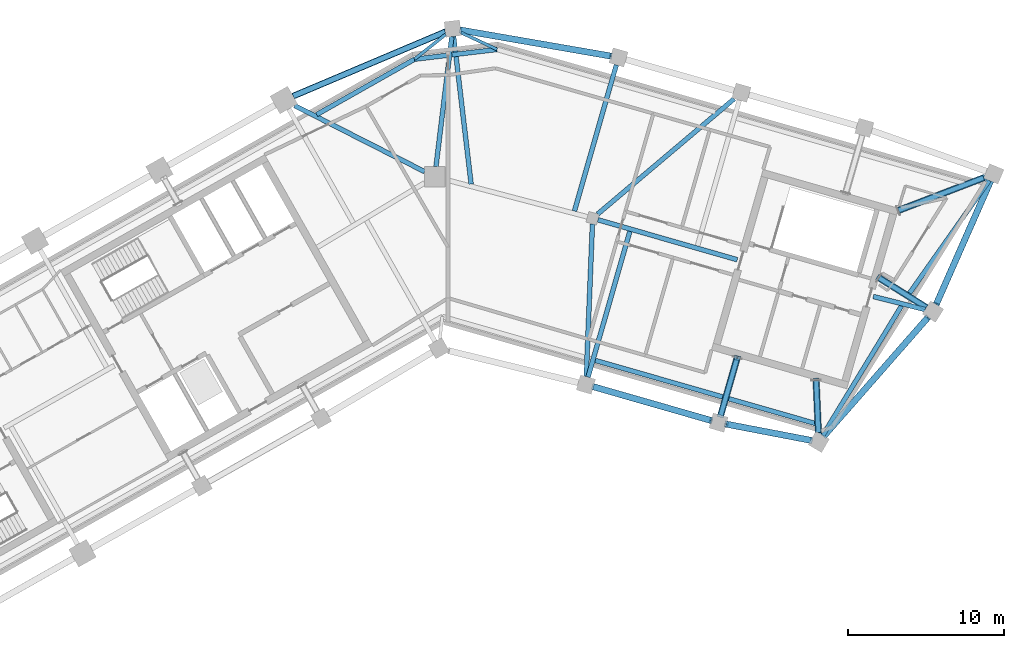
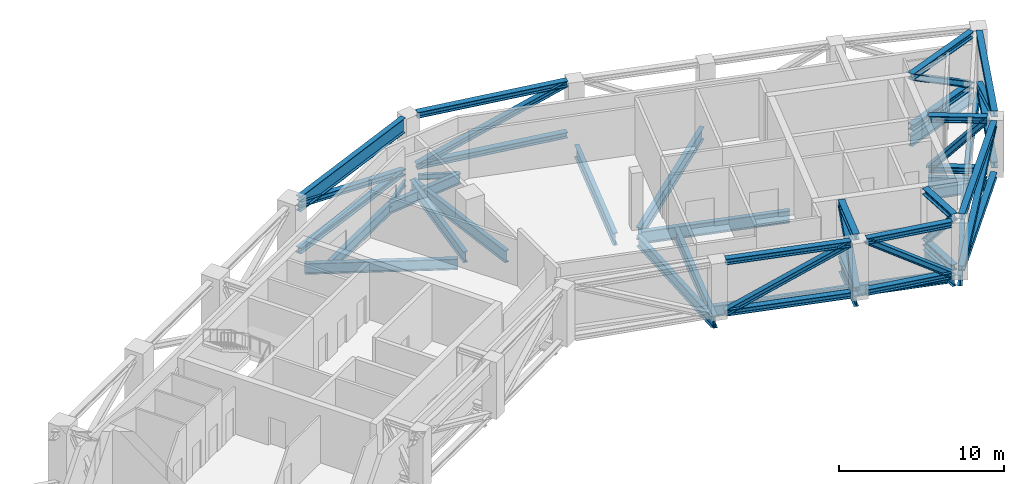
# One storey, part 3 of 13: 29 members, 23 beams.
"""IFC4 building model written with IfcOpenShell, lengths in metres."""

from ifc_helpers import new_model, si_unit, direction, frame, origin, origin_2d, place, context, subcontext, project, spatial, i_section, extrude, material, material_profile, profile_set, type_object, element, save


model = new_model("IFC4")

# Units and contexts
model_context = context("Model", 3, precision=1e-05, world=origin(), true_north=direction((0.0, 1.0)))
body_context = subcontext(model_context, "Body", "Model", "MODEL_VIEW")
ifc_project = project(units=[si_unit("LENGTHUNIT", "METRE"), si_unit("AREAUNIT", "SQUARE_METRE"), si_unit("VOLUMEUNIT", "CUBIC_METRE"), si_unit("PLANEANGLEUNIT", "RADIAN"), si_unit("MASSUNIT", "GRAM", prefix="KILO")], contexts=[model_context])

# Site, building, storey
site_placement = place(None, origin())
site = spatial("IfcSite", under=ifc_project, at=site_placement, CompositionType="ELEMENT")
building_placement = place(site_placement, origin())
building = spatial("IfcBuilding", under=site, at=building_placement, Name="Binnacle Exchange Tower", CompositionType="ELEMENT")
storey_placement = place(building_placement, frame((0.0, 0.0, 258.199951171875)))
storey = spatial("IfcBuildingStorey", under=building, at=storey_placement, Name="L57", CompositionType="ELEMENT", Elevation=258.199951171875)

# Members
ifc_material_1 = material(Name="Steel S355 (SHN355)", Category="steel")
ifc_material_profile_1 = material_profile(ifc_material_1, i_section(OverallWidth=0.406982421875, OverallDepth=0.427978515625, WebThickness=0.02001953125, FlangeThickness=0.034912109375, FilletRadius=0.02197265625, at=origin_2d()), Name="H 428x407x20x35")
ifc_profile_set_1 = profile_set([ifc_material_profile_1], Name="Steel S355 (SHN355)")
member_type_1 = type_object("IfcMemberType", Name="Belt truss chord BT57C H 428x407x20x35 Steel S355 (SHN355)", PredefinedType="CHORD", material=ifc_profile_set_1)
for number, where, z_axis, x_axis, name in (
    (1, (9.2900390625, 46.58447265625, 4.006103515625), (0.961265533153, -0.275623973506, 0.0), (0.275623973506, 0.961265533153, 0.0), "S:TR:L57:BEL:019"),
    (2, (9.2900390625, 46.58447265625, 0.214111328125), (0.961265533153, -0.275623973506, 0.0), (0.275623973506, 0.961265533153, 0.0), "S:TR:L57:BEL:020"),
):
    element("IfcMember", number, at=place(storey_placement, frame(where, z_axis=z_axis, x_axis=x_axis)), inside=storey, type_object=member_type_1, Name=name, PredefinedType="CHORD", context=body_context, shape_type="SweptSolid", body=[
        extrude(i_section(OverallWidth=0.406982421875, OverallDepth=0.427978515625, WebThickness=0.02001953125, FlangeThickness=0.034912109375, FilletRadius=0.02197265625, at=origin_2d()), origin(), (0.0, 0.0, 1.0), 7.820556640625),
    ])
for number, where, z_axis, x_axis, name in (
    (3, (17.78125, 44.196533203125, 4.006103515625), (0.98208728148, -0.188426568073, 0.0), (0.188426568073, 0.98208728148, 0.0), "S:TR:L57:BEL:022"),
    (4, (17.78125, 44.196533203125, 0.214111328125), (0.98208728148, -0.188426568073, 0.0), (0.188426568073, 0.98208728148, 0.0), "S:TR:L57:BEL:023"),
):
    element("IfcMember", number, at=place(storey_placement, frame(where, z_axis=z_axis, x_axis=x_axis)), inside=storey, type_object=member_type_1, Name=name, PredefinedType="CHORD", context=body_context, shape_type="SweptSolid", body=[
        extrude(i_section(OverallWidth=0.406982421875, OverallDepth=0.427978515625, WebThickness=0.02001953125, FlangeThickness=0.034912109375, FilletRadius=0.02197265625, at=origin_2d()), origin(), (0.0, 0.0, 1.0), 5.4873046875),
    ])
for number, where, z_axis, x_axis, name in (
    (5, (24.026123046875, 43.44580078125, 4.006103515625), (0.659336218273, 0.751848223562, 0.0), (-0.751848223562, 0.659336218273, 0.0), "S:TR:L57:BEL:025"),
    (6, (24.026123046875, 43.44580078125, 0.214111328125), (0.659336218273, 0.751848223562, 0.0), (-0.751848223562, 0.659336218273, 0.0), "S:TR:L57:BEL:026"),
):
    element("IfcMember", number, at=place(storey_placement, frame(where, z_axis=z_axis, x_axis=x_axis)), inside=storey, type_object=member_type_1, Name=name, PredefinedType="CHORD", context=body_context, shape_type="SweptSolid", body=[
        extrude(i_section(OverallWidth=0.406982421875, OverallDepth=0.427978515625, WebThickness=0.02001953125, FlangeThickness=0.034912109375, FilletRadius=0.02197265625, at=origin_2d()), origin(), (0.0, 0.0, 1.0), 10.0546875),
    ])
for number, where, z_axis, x_axis, name in (
    (7, (31.193359375, 51.848388671875, 4.006103515625), (0.403459457176, 0.914997522628, 0.0), (-0.914997522628, 0.403459457176, 0.0), "S:TR:L57:BEL:028"),
    (8, (31.193359375, 51.848388671875, 0.214111328125), (0.403459457176, 0.914997522628, 0.0), (-0.914997522628, 0.403459457176, 0.0), "S:TR:L57:BEL:029"),
):
    element("IfcMember", number, at=place(storey_placement, frame(where, z_axis=z_axis, x_axis=x_axis)), inside=storey, type_object=member_type_1, Name=name, PredefinedType="CHORD", context=body_context, shape_type="SweptSolid", body=[
        extrude(i_section(OverallWidth=0.406982421875, OverallDepth=0.427978515625, WebThickness=0.02001953125, FlangeThickness=0.034912109375, FilletRadius=0.02197265625, at=origin_2d()), origin(), (0.0, 0.0, 1.0), 8.61328125),
    ])
for number, where, z_axis, x_axis, name in (
    (9, (10.39453125, 67.71484375, 4.006103515625), (-0.985315512383, 0.170743494921, 0.0), (-0.170743494921, -0.985315512383, 0.0), "S:TR:L57:BEL:040"),
    (10, (10.39453125, 67.71484375, 0.214111328125), (-0.985315512383, 0.170743494921, 0.0), (-0.170743494921, -0.985315512383, 0.0), "S:TR:L57:BEL:041"),
):
    element("IfcMember", number, at=place(storey_placement, frame(where, z_axis=z_axis, x_axis=x_axis)), inside=storey, type_object=member_type_1, Name=name, PredefinedType="CHORD", context=body_context, shape_type="SweptSolid", body=[
        extrude(i_section(OverallWidth=0.406982421875, OverallDepth=0.427978515625, WebThickness=0.02001953125, FlangeThickness=0.034912109375, FilletRadius=0.02197265625, at=origin_2d()), origin(), (0.0, 0.0, 1.0), 9.72314453125),
    ])
member_1_placement = place(storey_placement, frame((-0.179443359375, 69.261474609375, 0.214111328125), z_axis=(-0.921114178723, -0.389292524659, 0.0), x_axis=(0.389292524659, -0.921114178723, 0.0)))
element("IfcMember", 11, at=member_1_placement, inside=storey, type_object=member_type_1, Name="S:TR:L57:BEL:044", PredefinedType="CHORD", context=body_context, shape_type="SweptSolid", body=[
    extrude(i_section(OverallWidth=0.406982421875, OverallDepth=0.427978515625, WebThickness=0.02001953125, FlangeThickness=0.034912109375, FilletRadius=0.02197265625, at=origin_2d()), origin(), (0.0, 0.0, 1.0), 10.544677734375),
])
ifc_material_profile_2 = material_profile(ifc_material_1, i_section(OverallWidth=0.39990234375, OverallDepth=0.39990234375, WebThickness=0.012939453125, FlangeThickness=0.02099609375, FilletRadius=0.02197265625, at=origin_2d()), Name="H 400x400x13x21")
ifc_profile_set_2 = profile_set([ifc_material_profile_2], Name="Steel S355 (SHN355)")
member_type_2 = type_object("IfcMemberType", Name="Belt truss diagonal BT57D H 400x400x13x21 Steel S355 (SHN355)", PredefinedType="BRACE", material=ifc_profile_set_2)
member_2_placement = place(storey_placement, frame((9.2900390625, 46.58447265625, 0.214111328125), z_axis=(0.864950123308, -0.248007425263, 0.436295314212), x_axis=(0.275623973506, 0.961265533153, 0.0)))
element("IfcMember", 12, at=member_2_placement, inside=storey, type_object=member_type_2, Name="S:TR:L57:BEL:021", PredefinedType="BRACE", context=body_context, shape_type="SweptSolid", body=[
    extrude(i_section(OverallWidth=0.39990234375, OverallDepth=0.39990234375, WebThickness=0.012939453125, FlangeThickness=0.02099609375, FilletRadius=0.02197265625, at=origin_2d()), origin(), (0.0, 0.0, 1.0), 8.69140625),
])
member_3_placement = place(storey_placement, frame((17.78125, 44.196533203125, 4.006103515625), z_axis=(0.807935766619, -0.155013272851, -0.568516211078), x_axis=(0.188426568073, 0.98208728148, 0.0)))
element("IfcMember", 13, at=member_3_placement, inside=storey, type_object=member_type_2, Name="S:TR:L57:BEL:024", PredefinedType="BRACE", context=body_context, shape_type="SweptSolid", body=[
    extrude(i_section(OverallWidth=0.39990234375, OverallDepth=0.39990234375, WebThickness=0.012939453125, FlangeThickness=0.02099609375, FilletRadius=0.02197265625, at=origin_2d()), origin(), (0.0, 0.0, 1.0), 6.669921875),
])
member_4_placement = place(storey_placement, frame((24.026123046875, 43.44580078125, 0.214111328125), z_axis=(0.616920983006, 0.703481671864, 0.352876802977), x_axis=(-0.751848223562, 0.659336218273, 0.0)))
element("IfcMember", 14, at=member_4_placement, inside=storey, type_object=member_type_2, Name="S:TR:L57:BEL:027", PredefinedType="BRACE", context=body_context, shape_type="SweptSolid", body=[
    extrude(i_section(OverallWidth=0.39990234375, OverallDepth=0.39990234375, WebThickness=0.012939453125, FlangeThickness=0.02099609375, FilletRadius=0.02197265625, at=origin_2d()), origin(), (0.0, 0.0, 1.0), 10.745849609375),
])
member_5_placement = place(storey_placement, frame((31.193359375, 51.848388671875, 4.006103515625), z_axis=(0.369258335926, 0.837433493186, -0.402931043529), x_axis=(-0.914997522628, 0.403459457176, 0.0)))
element("IfcMember", 15, at=member_5_placement, inside=storey, type_object=member_type_2, Name="S:TR:L57:BEL:030", PredefinedType="BRACE", context=body_context, shape_type="SweptSolid", body=[
    extrude(i_section(OverallWidth=0.39990234375, OverallDepth=0.39990234375, WebThickness=0.012939453125, FlangeThickness=0.02099609375, FilletRadius=0.02197265625, at=origin_2d()), origin(), (0.0, 0.0, 1.0), 9.4111328125),
])
member_6_placement = place(storey_placement, frame((10.39453125, 67.71484375, 4.006103515625), z_axis=(-0.917974235388, 0.159074050117, -0.363343845061), x_axis=(-0.170743494921, -0.985315512383, 0.0)))
element("IfcMember", 16, at=member_6_placement, inside=storey, type_object=member_type_2, Name="S:TR:L57:BEL:042", PredefinedType="BRACE", context=body_context, shape_type="SweptSolid", body=[
    extrude(i_section(OverallWidth=0.39990234375, OverallDepth=0.39990234375, WebThickness=0.012939453125, FlangeThickness=0.02099609375, FilletRadius=0.02197265625, at=origin_2d()), origin(), (0.0, 0.0, 1.0), 10.436279296875),
])
member_7_placement = place(storey_placement, frame((-0.179443359375, 69.261474609375, 0.214111328125), z_axis=(-0.875300134169, -0.369930033579, 0.311450550455), x_axis=(0.389292524659, -0.921114178723, 0.0)))
element("IfcMember", 17, at=member_7_placement, inside=storey, type_object=member_type_2, Name="S:TR:L57:BEL:045", PredefinedType="BRACE", context=body_context, shape_type="SweptSolid", body=[
    extrude(i_section(OverallWidth=0.39990234375, OverallDepth=0.39990234375, WebThickness=0.012939453125, FlangeThickness=0.02099609375, FilletRadius=0.02197265625, at=origin_2d()), origin(), (0.0, 0.0, 1.0), 11.0966796875),
])

# Beams
ifc_material_profile_3 = material_profile(ifc_material_1, i_section(OverallWidth=0.300048828125, OverallDepth=0.800048828125, WebThickness=0.013916015625, FlangeThickness=0.02587890625, FilletRadius=0.028076171875, at=origin_2d()), Name="H 800x300x14x26")
ifc_profile_set_3 = profile_set([ifc_material_profile_3], Name="Steel S355 (SHN355)")
beam_type_1 = type_object("IfcBeamType", Name="Edge girder H 800x300x14x26 Steel S355 (SHN355)", PredefinedType="SPANDREL", material=ifc_profile_set_3)
beam_1_placement = place(storey_placement, frame((-8.396240234375, 63.97509765625, -0.75), z_axis=(0.870355215892, 0.492424408585, 0.0), x_axis=(-0.492424408585, 0.870355215892, 0.0)))
element("IfcBeam", 18, at=beam_1_placement, inside=storey, type_object=beam_type_1, Name="S:BM:edge:L57:024", PredefinedType="SPANDREL", context=body_context, shape_type="SweptSolid", body=[
    extrude(i_section(OverallWidth=0.300048828125, OverallDepth=0.800048828125, WebThickness=0.013916015625, FlangeThickness=0.02587890625, FilletRadius=0.028076171875, at=origin_2d()), origin(), (0.0, 0.0, 1.0), 7.18603515625),
])
beam_2_placement = place(storey_placement, frame((-2.141845703125, 67.513671875, -0.75), z_axis=(0.99307431808, 0.117487866483, 0.0), x_axis=(-0.117487866483, 0.99307431808, 0.0)))
element("IfcBeam", 19, at=beam_2_placement, inside=storey, type_object=beam_type_1, Name="S:BM:edge:L57:025", PredefinedType="SPANDREL", context=body_context, shape_type="SweptSolid", body=[
    extrude(i_section(OverallWidth=0.300048828125, OverallDepth=0.800048828125, WebThickness=0.013916015625, FlangeThickness=0.02587890625, FilletRadius=0.028076171875, at=origin_2d()), origin(), (0.0, 0.0, 1.0), 2.10302734375),
])
beam_3_placement = place(storey_placement, frame((0.244384765625, 67.796142578125, -0.75), z_axis=(0.993067190116, 0.117548100429, 0.0), x_axis=(-0.117548100429, 0.993067190116, 0.0)))
element("IfcBeam", 20, at=beam_3_placement, inside=storey, type_object=beam_type_1, Name="S:BM:edge:L57:028", PredefinedType="SPANDREL", context=body_context, shape_type="SweptSolid", body=[
    extrude(i_section(OverallWidth=0.300048828125, OverallDepth=0.800048828125, WebThickness=0.013916015625, FlangeThickness=0.02587890625, FilletRadius=0.028076171875, at=origin_2d()), origin(), (0.0, 0.0, 1.0), 2.90576171875),
])
beam_4_placement = place(storey_placement, frame((17.5986328125, 45.91845703125, -0.75), z_axis=(-0.961262916114, 0.275633100522, 0.0), x_axis=(-0.275633100522, -0.961262916114, 0.0)))
element("IfcBeam", 21, at=beam_4_placement, inside=storey, type_object=beam_type_1, Name="S:BM:edge:L57:032", PredefinedType="SPANDREL", context=body_context, shape_type="SweptSolid", body=[
    extrude(i_section(OverallWidth=0.300048828125, OverallDepth=0.800048828125, WebThickness=0.013916015625, FlangeThickness=0.02587890625, FilletRadius=0.028076171875, at=origin_2d()), origin(), (0.0, 0.0, 1.0), 8.52001953125),
])
beam_5_placement = place(storey_placement, frame((23.4970703125, 44.227294921875, -0.75), z_axis=(-0.961270956147, 0.275605059583, 0.0), x_axis=(-0.275605059583, -0.961270956147, 0.0)))
element("IfcBeam", 22, at=beam_5_placement, inside=storey, type_object=beam_type_1, Name="S:BM:edge:L57:034", PredefinedType="SPANDREL", context=body_context, shape_type="SweptSolid", body=[
    extrude(i_section(OverallWidth=0.300048828125, OverallDepth=0.800048828125, WebThickness=0.013916015625, FlangeThickness=0.02587890625, FilletRadius=0.028076171875, at=origin_2d()), origin(), (0.0, 0.0, 1.0), 5.8359375),
])
beam_6_placement = place(storey_placement, frame((28.97607421875, 51.74951171875, -0.75), z_axis=(-0.519821973828, -0.854274613649, 0.0), x_axis=(0.854274613649, -0.519821973828, 0.0)))
element("IfcBeam", 23, at=beam_6_placement, inside=storey, type_object=beam_type_1, Name="S:BM:edge:L57:036", PredefinedType="SPANDREL", context=body_context, shape_type="SweptSolid", body=[
    extrude(i_section(OverallWidth=0.300048828125, OverallDepth=0.800048828125, WebThickness=0.013916015625, FlangeThickness=0.02587890625, FilletRadius=0.028076171875, at=origin_2d()), origin(), (0.0, 0.0, 1.0), 9.66845703125),
])
beam_7_placement = place(storey_placement, frame((34.574951171875, 59.7685546875, -0.75), z_axis=(-0.576739372478, -0.816928207515, 0.0), x_axis=(0.816928207515, -0.576739372478, 0.0)))
element("IfcBeam", 24, at=beam_7_placement, inside=storey, type_object=beam_type_1, Name="S:BM:edge:L57:037", PredefinedType="SPANDREL", context=body_context, shape_type="SweptSolid", body=[
    extrude(i_section(OverallWidth=0.300048828125, OverallDepth=0.800048828125, WebThickness=0.013916015625, FlangeThickness=0.02587890625, FilletRadius=0.028076171875, at=origin_2d()), origin(), (0.0, 0.0, 1.0), 8.87255859375),
])
ifc_material_profile_4 = material_profile(ifc_material_1, i_section(OverallWidth=0.199951171875, OverallDepth=0.39990234375, WebThickness=0.008056640625, FlangeThickness=0.012939453125, FilletRadius=0.01611328125, at=origin_2d()), Name="H 400x200x8x13")
ifc_profile_set_4 = profile_set([ifc_material_profile_4], Name="Steel S355 (SHN355)")
beam_type_2 = type_object("IfcBeamType", Name="Floor beam H 400x200x8x13 Steel S355 (SHN355)", PredefinedType="BEAM", material=ifc_profile_set_4)
beam_8_placement = place(storey_placement, frame((-0.159912109375, 69.0966796875, -0.550048828125), z_axis=(-0.781356863182, -0.624084491362, 0.0), x_axis=(0.624084491362, -0.781356863182, 0.0)))
element("IfcBeam", 25, at=beam_8_placement, inside=storey, type_object=beam_type_2, Name="S:BM:cross:L57:053", PredefinedType="BEAM", context=body_context, shape_type="SweptSolid", body=[
    extrude(i_section(OverallWidth=0.199951171875, OverallDepth=0.39990234375, WebThickness=0.008056640625, FlangeThickness=0.012939453125, FilletRadius=0.01611328125, at=origin_2d()), origin(), (0.0, 0.0, 1.0), 2.53662109375),
])
beam_9_placement = place(storey_placement, frame((0.833251953125, 69.21435546875, -0.550048828125), z_axis=(0.90544159599, -0.424470866197, 0.0), x_axis=(0.424470866197, 0.90544159599, 0.0)))
element("IfcBeam", 26, at=beam_9_placement, inside=storey, type_object=beam_type_2, Name="S:BM:cross:L57:055", PredefinedType="BEAM", context=body_context, shape_type="SweptSolid", body=[
    extrude(i_section(OverallWidth=0.199951171875, OverallDepth=0.39990234375, WebThickness=0.008056640625, FlangeThickness=0.012939453125, FilletRadius=0.01611328125, at=origin_2d()), origin(), (0.0, 0.0, 1.0), 2.536376953125),
])
ifc_material_profile_5 = material_profile(ifc_material_1, i_section(OverallWidth=0.300048828125, OverallDepth=0.800048828125, WebThickness=0.013916015625, FlangeThickness=0.02587890625, FilletRadius=0.028076171875, at=origin_2d()), Name="H 800x300x14x26")
ifc_profile_set_5 = profile_set([ifc_material_profile_5], Name="Steel S355 (SHN355)")
beam_type_3 = type_object("IfcBeamType", Name="Floor beam H 800x300x14x26 Steel S355 (SHN355)", PredefinedType="BEAM", material=ifc_profile_set_5)
beam_10_placement = place(storey_placement, frame((17.426025390625, 44.771728515625, -0.75), z_axis=(0.27564586602, 0.961259255636, 0.0), x_axis=(-0.961259255636, 0.27564586602, 0.0)))
element("IfcBeam", 27, at=beam_10_placement, inside=storey, type_object=beam_type_3, Name="S:BM:cross:L57:058", PredefinedType="BEAM", context=body_context, shape_type="SweptSolid", body=[
    extrude(i_section(OverallWidth=0.300048828125, OverallDepth=0.800048828125, WebThickness=0.013916015625, FlangeThickness=0.02587890625, FilletRadius=0.028076171875, at=origin_2d()), origin(), (0.0, 0.0, 1.0), 3.835205078125),
])
beam_11_placement = place(storey_placement, frame((23.664306640625, 43.655517578125, -0.75), z_axis=(-0.043638888679, 0.999047369945, 0.0), x_axis=(-0.999047369945, -0.043638888679, 0.0)))
element("IfcBeam", 28, at=beam_11_placement, inside=storey, type_object=beam_type_3, Name="S:BM:cross:L57:060", PredefinedType="BEAM", context=body_context, shape_type="SweptSolid", body=[
    extrude(i_section(OverallWidth=0.300048828125, OverallDepth=0.800048828125, WebThickness=0.013916015625, FlangeThickness=0.02587890625, FilletRadius=0.028076171875, at=origin_2d()), origin(), (0.0, 0.0, 1.0), 3.3623046875),
])
beam_12_placement = place(storey_placement, frame((30.5654296875, 51.6513671875, -0.75), z_axis=(-0.848078408173, 0.529870751779, 0.0), x_axis=(-0.529870751779, -0.848078408173, 0.0)))
element("IfcBeam", 29, at=beam_12_placement, inside=storey, type_object=beam_type_3, Name="S:BM:cross:L57:062", PredefinedType="BEAM", context=body_context, shape_type="SweptSolid", body=[
    extrude(i_section(OverallWidth=0.300048828125, OverallDepth=0.800048828125, WebThickness=0.013916015625, FlangeThickness=0.02587890625, FilletRadius=0.028076171875, at=origin_2d()), origin(), (0.0, 0.0, 1.0), 3.59521484375),
])
beam_13_placement = place(storey_placement, frame((34.22509765625, 59.939208984375, -0.75), z_axis=(-0.933584363688, -0.358357692644, 0.0), x_axis=(0.358357692644, -0.933584363688, 0.0)))
element("IfcBeam", 30, at=beam_13_placement, inside=storey, type_object=beam_type_3, Name="S:BM:cross:L57:063", PredefinedType="BEAM", context=body_context, shape_type="SweptSolid", body=[
    extrude(i_section(OverallWidth=0.300048828125, OverallDepth=0.800048828125, WebThickness=0.013916015625, FlangeThickness=0.02587890625, FilletRadius=0.028076171875, at=origin_2d()), origin(), (0.0, 0.0, 1.0), 5.871826171875),
])
ifc_material_profile_6 = material_profile(ifc_material_1, i_section(OverallWidth=0.300048828125, OverallDepth=0.89990234375, WebThickness=0.01611328125, FlangeThickness=0.028076171875, FilletRadius=0.028076171875, at=origin_2d()), Name="H 900x300x16x28")
ifc_profile_set_6 = profile_set([ifc_material_profile_6], Name="Steel S355 (SHN355)")
beam_type_4 = type_object("IfcBeamType", Name="Floor beam H 900x300x16x28 Steel S355 (SHN355)", PredefinedType="BEAM", material=ifc_profile_set_6)
beam_14_placement = place(storey_placement, frame((0.35888671875, 68.9677734375, -0.800048828125), z_axis=(0.117547988923, -0.993067203315, 0.0), x_axis=(0.993067203315, 0.117547988923, 0.0)))
element("IfcBeam", 31, at=beam_14_placement, inside=storey, type_object=beam_type_4, Name="S:BM:cross:L57:054", PredefinedType="BEAM", context=body_context, shape_type="SweptSolid", body=[
    extrude(i_section(OverallWidth=0.300048828125, OverallDepth=0.89990234375, WebThickness=0.01611328125, FlangeThickness=0.028076171875, FilletRadius=0.028076171875, at=origin_2d()), origin(), (0.0, 0.0, 1.0), 9.5),
])
ifc_material_profile_7 = material_profile(ifc_material_1, i_section(OverallWidth=0.302001953125, OverallDepth=0.912109375, WebThickness=0.01806640625, FlangeThickness=0.033935546875, FilletRadius=0.028076171875, at=origin_2d()), Name="H 912x302x18x34")
ifc_profile_set_7 = profile_set([ifc_material_profile_7], Name="Steel S355 (SHN355)")
beam_type_5 = type_object("IfcBeamType", Name="Floor beam H 912x302x18x34 Steel S355 (SHN355)", PredefinedType="BEAM", material=ifc_profile_set_7)
beam_15_placement = place(storey_placement, frame((8.947265625, 47.202880859375, -0.805908203125), z_axis=(0.275643212873, 0.961260016435, 0.0), x_axis=(-0.961260016435, 0.275643212873, 0.0)))
element("IfcBeam", 32, at=beam_15_placement, inside=storey, type_object=beam_type_5, Name="S:BM:cross:L57:056", PredefinedType="BEAM", context=body_context, shape_type="SweptSolid", body=[
    extrude(i_section(OverallWidth=0.302001953125, OverallDepth=0.912109375, WebThickness=0.01806640625, FlangeThickness=0.033935546875, FilletRadius=0.028076171875, at=origin_2d()), origin(), (0.0, 0.0, 1.0), 9.685302734375),
])
beam_16_placement = place(storey_placement, frame((10.752197265625, 67.1484375, -0.805908203125), z_axis=(-0.275623948616, -0.96126554029, 0.0), x_axis=(0.96126554029, -0.275623948616, 0.0)))
element("IfcBeam", 33, at=beam_16_placement, inside=storey, type_object=beam_type_5, Name="S:BM:cross:L57:057", PredefinedType="BEAM", context=body_context, shape_type="SweptSolid", body=[
    extrude(i_section(OverallWidth=0.302001953125, OverallDepth=0.912109375, WebThickness=0.01806640625, FlangeThickness=0.033935546875, FilletRadius=0.028076171875, at=origin_2d()), origin(), (0.0, 0.0, 1.0), 9.71337890625),
])

# Members
ifc_material_2 = material(Name="Steel S460 (SHN460)", Category="steel")
ifc_material_profile_8 = material_profile(ifc_material_2, i_section(OverallWidth=0.4169921875, OverallDepth=0.4580078125, WebThickness=0.030029296875, FlangeThickness=0.050048828125, FilletRadius=0.02197265625, at=origin_2d()), Name="H 458x417x30x50")
ifc_profile_set_8 = profile_set([ifc_material_profile_8], Name="Steel S460 (SHN460)")
member_type_3 = type_object("IfcMemberType", Name="Outrigger truss chord OT57C H 458x417x30x50 Steel S460 (SHN460)", PredefinedType="CHORD", material=ifc_profile_set_8)
for number, where, z_axis, x_axis, name in (
    (34, (17.426025390625, 44.771728515625, 3.990966796875), (0.275647086325, 0.961258905707, 0.0), (-0.961258905707, 0.275647086325, 0.0), "S:TR:L57:OUT:094"),
    (35, (17.426025390625, 44.771728515625, 0.22900390625), (0.275647086325, 0.961258905707, 0.0), (-0.961258905707, 0.275647086325, 0.0), "S:TR:L57:OUT:095"),
):
    element("IfcMember", number, at=place(storey_placement, frame(where, z_axis=z_axis, x_axis=x_axis)), inside=storey, type_object=member_type_3, Name=name, PredefinedType="CHORD", context=body_context, shape_type="SweptSolid", body=[
        extrude(i_section(OverallWidth=0.4169921875, OverallDepth=0.4580078125, WebThickness=0.030029296875, FlangeThickness=0.050048828125, FilletRadius=0.02197265625, at=origin_2d()), origin(), (0.0, 0.0, 1.0), 3.795166015625),
    ])
for number, where, z_axis, x_axis, name in (
    (36, (23.664306640625, 43.655517578125, 3.990966796875), (-0.043650888294, 0.999046845724, 0.0), (-0.999046845724, -0.043650888294, 0.0), "S:TR:L57:OUT:097"),
    (37, (23.664306640625, 43.655517578125, 0.22900390625), (-0.043650888294, 0.999046845724, 0.0), (-0.999046845724, -0.043650888294, 0.0), "S:TR:L57:OUT:098"),
):
    element("IfcMember", number, at=place(storey_placement, frame(where, z_axis=z_axis, x_axis=x_axis)), inside=storey, type_object=member_type_3, Name=name, PredefinedType="CHORD", context=body_context, shape_type="SweptSolid", body=[
        extrude(i_section(OverallWidth=0.4169921875, OverallDepth=0.4580078125, WebThickness=0.030029296875, FlangeThickness=0.050048828125, FilletRadius=0.02197265625, at=origin_2d()), origin(), (0.0, 0.0, 1.0), 3.322265625),
    ])
for number, where, z_axis, x_axis, name in (
    (38, (30.5654296875, 51.6513671875, 3.990966796875), (-0.848052308301, 0.529912523333, 0.0), (-0.529912523333, -0.848052308301, 0.0), "S:TR:L57:OUT:103"),
    (39, (30.5654296875, 51.6513671875, 0.22900390625), (-0.848052308301, 0.529912523333, 0.0), (-0.529912523333, -0.848052308301, 0.0), "S:TR:L57:OUT:104"),
):
    element("IfcMember", number, at=place(storey_placement, frame(where, z_axis=z_axis, x_axis=x_axis)), inside=storey, type_object=member_type_3, Name=name, PredefinedType="CHORD", context=body_context, shape_type="SweptSolid", body=[
        extrude(i_section(OverallWidth=0.4169921875, OverallDepth=0.4580078125, WebThickness=0.030029296875, FlangeThickness=0.050048828125, FilletRadius=0.02197265625, at=origin_2d()), origin(), (0.0, 0.0, 1.0), 3.555419921875),
    ])
for number, where, z_axis, x_axis, name in (
    (40, (34.22509765625, 59.939208984375, 3.990966796875), (-0.933588155386, -0.358347814452, 0.0), (0.358347814452, -0.933588155386, 0.0), "S:TR:L57:OUT:106"),
    (41, (34.22509765625, 59.939208984375, 0.22900390625), (-0.933588155386, -0.358347814452, 0.0), (0.358347814452, -0.933588155386, 0.0), "S:TR:L57:OUT:107"),
):
    element("IfcMember", number, at=place(storey_placement, frame(where, z_axis=z_axis, x_axis=x_axis)), inside=storey, type_object=member_type_3, Name=name, PredefinedType="CHORD", context=body_context, shape_type="SweptSolid", body=[
        extrude(i_section(OverallWidth=0.4169921875, OverallDepth=0.4580078125, WebThickness=0.030029296875, FlangeThickness=0.050048828125, FilletRadius=0.02197265625, at=origin_2d()), origin(), (0.0, 0.0, 1.0), 5.831787109375),
    ])
ifc_material_profile_9 = material_profile(ifc_material_1, i_section(OverallWidth=0.405029296875, OverallDepth=0.4140625, WebThickness=0.01806640625, FlangeThickness=0.028076171875, FilletRadius=0.02197265625, at=origin_2d()), Name="H 414x405x18x28")
ifc_profile_set_9 = profile_set([ifc_material_profile_9], Name="Steel S355 (SHN355)")
member_type_4 = type_object("IfcMemberType", Name="Outrigger truss diagonal OT57D H 414x405x18x28 Steel S355 (SHN355)", PredefinedType="BRACE", material=ifc_profile_set_9)
member_8_placement = place(storey_placement, frame((17.426025390625, 44.771728515625, 0.22900390625), z_axis=(0.195767898038, 0.682697713042, 0.703987757496), x_axis=(-0.961258905707, 0.275647086325, 0.0)))
element("IfcMember", 42, at=member_8_placement, inside=storey, type_object=member_type_4, Name="S:TR:L57:OUT:096", PredefinedType="BRACE", context=body_context, shape_type="SweptSolid", body=[
    extrude(i_section(OverallWidth=0.405029296875, OverallDepth=0.4140625, WebThickness=0.01806640625, FlangeThickness=0.028076171875, FilletRadius=0.02197265625, at=origin_2d()), origin(), (0.0, 0.0, 1.0), 5.34375),
])
member_9_placement = place(storey_placement, frame((23.664306640625, 43.655517578125, 3.990966796875), z_axis=(-0.028894449993, 0.661313211544, -0.74955316489), x_axis=(-0.999046845724, -0.043650888294, 0.0)))
element("IfcMember", 43, at=member_9_placement, inside=storey, type_object=member_type_4, Name="S:TR:L57:OUT:099", PredefinedType="BRACE", context=body_context, shape_type="SweptSolid", body=[
    extrude(i_section(OverallWidth=0.405029296875, OverallDepth=0.4140625, WebThickness=0.01806640625, FlangeThickness=0.028076171875, FilletRadius=0.02197265625, at=origin_2d()), origin(), (0.0, 0.0, 1.0), 5.01904296875),
])
member_10_placement = place(storey_placement, frame((30.5654296875, 51.6513671875, 3.990966796875), z_axis=(-0.582500597806, 0.363980333058, -0.726781515108), x_axis=(-0.529912523333, -0.848052308301, 0.0)))
element("IfcMember", 44, at=member_10_placement, inside=storey, type_object=member_type_4, Name="S:TR:L57:OUT:105", PredefinedType="BRACE", context=body_context, shape_type="SweptSolid", body=[
    extrude(i_section(OverallWidth=0.405029296875, OverallDepth=0.4140625, WebThickness=0.01806640625, FlangeThickness=0.028076171875, FilletRadius=0.02197265625, at=origin_2d()), origin(), (0.0, 0.0, 1.0), 5.17626953125),
])
member_11_placement = place(storey_placement, frame((34.22509765625, 59.939208984375, 0.22900390625), z_axis=(-0.784524362279, -0.301131273984, 0.542071472058), x_axis=(0.358347814452, -0.933588155386, 0.0)))
element("IfcMember", 45, at=member_11_placement, inside=storey, type_object=member_type_4, Name="S:TR:L57:OUT:108", PredefinedType="BRACE", context=body_context, shape_type="SweptSolid", body=[
    extrude(i_section(OverallWidth=0.405029296875, OverallDepth=0.4140625, WebThickness=0.01806640625, FlangeThickness=0.028076171875, FilletRadius=0.02197265625, at=origin_2d()), origin(), (0.0, 0.0, 1.0), 6.93994140625),
])

# Beams
ifc_material_profile_10 = material_profile(ifc_material_1, i_section(OverallWidth=0.300048828125, OverallDepth=0.800048828125, WebThickness=0.013916015625, FlangeThickness=0.02587890625, FilletRadius=0.028076171875, at=origin_2d()), Name="H 800x300x14x26")
ifc_profile_set_10 = profile_set([ifc_material_profile_10], Name="Steel S355 (SHN355)")
beam_type_6 = type_object("IfcBeamType", Name="Spine girder H 800x300x14x26 Steel S355 (SHN355)", PredefinedType="BEAM", material=ifc_profile_set_10)
beam_17_placement = place(storey_placement, frame((-1.5, 60.330322265625, -0.75), z_axis=(-0.891481538846, 0.453057022786, 0.0), x_axis=(-0.453057022786, -0.891481538846, 0.0)))
element("IfcBeam", 46, at=beam_17_placement, inside=storey, type_object=beam_type_6, Name="S:BM:spine:L57:004", PredefinedType="BEAM", context=body_context, shape_type="SweptSolid", body=[
    extrude(i_section(OverallWidth=0.300048828125, OverallDepth=0.800048828125, WebThickness=0.013916015625, FlangeThickness=0.02587890625, FilletRadius=0.028076171875, at=origin_2d()), origin(), (0.0, 0.0, 1.0), 9.31005859375),
])
beam_18_placement = place(storey_placement, frame((-0.77099609375, 60.64990234375, -0.75), z_axis=(0.120632086068, 0.992697285083, 0.0), x_axis=(-0.992697285083, 0.120632086068, 0.0)))
element("IfcBeam", 47, at=beam_18_placement, inside=storey, type_object=beam_type_6, Name="S:BM:spine:L57:005", PredefinedType="BEAM", context=body_context, shape_type="SweptSolid", body=[
    extrude(i_section(OverallWidth=0.300048828125, OverallDepth=0.800048828125, WebThickness=0.013916015625, FlangeThickness=0.02587890625, FilletRadius=0.028076171875, at=origin_2d()), origin(), (0.0, 0.0, 1.0), 8.364501953125),
])
beam_19_placement = place(storey_placement, frame((27.17138671875, 52.35400390625, -0.75), z_axis=(0.969354959992, -0.245664326957, 0.0), x_axis=(0.245664326957, 0.969354959992, 0.0)))
element("IfcBeam", 48, at=beam_19_placement, inside=storey, type_object=beam_type_6, Name="S:BM:spine:L57:010", PredefinedType="BEAM", context=body_context, shape_type="SweptSolid", body=[
    extrude(i_section(OverallWidth=0.300048828125, OverallDepth=0.800048828125, WebThickness=0.013916015625, FlangeThickness=0.02587890625, FilletRadius=0.028076171875, at=origin_2d()), origin(), (0.0, 0.0, 1.0), 3.41357421875),
])
ifc_material_profile_11 = material_profile(ifc_material_1, i_section(OverallWidth=0.302001953125, OverallDepth=0.80810546875, WebThickness=0.01611328125, FlangeThickness=0.030029296875, FilletRadius=0.028076171875, at=origin_2d()), Name="H 808x302x16x30")
ifc_profile_set_11 = profile_set([ifc_material_profile_11], Name="Steel S355 (SHN355)")
beam_type_7 = type_object("IfcBeamType", Name="Spine girder H 808x302x16x30 Steel S355 (SHN355)", PredefinedType="BEAM", material=ifc_profile_set_11)
beam_20_placement = place(storey_placement, frame((9.226318359375, 56.990234375, -0.75390625), z_axis=(-0.040566314933, -0.999176848257, 0.0), x_axis=(0.999176848257, -0.040566314933, 0.0)))
element("IfcBeam", 49, at=beam_20_placement, inside=storey, type_object=beam_type_7, Name="S:BM:spine:L57:007", PredefinedType="BEAM", context=body_context, shape_type="SweptSolid", body=[
    extrude(i_section(OverallWidth=0.302001953125, OverallDepth=0.80810546875, WebThickness=0.01611328125, FlangeThickness=0.030029296875, FilletRadius=0.028076171875, at=origin_2d()), origin(), (0.0, 0.0, 1.0), 9.76171875),
])
ifc_material_profile_12 = material_profile(ifc_material_1, i_section(OverallWidth=0.302001953125, OverallDepth=0.912109375, WebThickness=0.01806640625, FlangeThickness=0.033935546875, FilletRadius=0.028076171875, at=origin_2d()), Name="H 912x302x18x34")
ifc_profile_set_12 = profile_set([ifc_material_profile_12], Name="Steel S355 (SHN355)")
beam_type_8 = type_object("IfcBeamType", Name="Spine girder H 912x302x18x34 Steel S355 (SHN355)", PredefinedType="BEAM", material=ifc_profile_set_12)
beam_21_placement = place(storey_placement, frame((9.562744140625, 57.6220703125, -0.805908203125), z_axis=(0.764068797706, 0.645134770704, 0.0), x_axis=(-0.645134770704, 0.764068797706, 0.0)))
element("IfcBeam", 50, at=beam_21_placement, inside=storey, type_object=beam_type_8, Name="S:BM:spine:L57:008", PredefinedType="BEAM", context=body_context, shape_type="SweptSolid", body=[
    extrude(i_section(OverallWidth=0.302001953125, OverallDepth=0.912109375, WebThickness=0.01806640625, FlangeThickness=0.033935546875, FilletRadius=0.028076171875, at=origin_2d()), origin(), (0.0, 0.0, 1.0), 11.417236328125),
])
beam_22_placement = place(storey_placement, frame((9.577392578125, 57.253662109375, -0.805908203125), z_axis=(0.961262936931, -0.275633027924, 0.0), x_axis=(0.275633027924, 0.961262936931, 0.0)))
element("IfcBeam", 51, at=beam_22_placement, inside=storey, type_object=beam_type_8, Name="S:BM:spine:L57:009", PredefinedType="BEAM", context=body_context, shape_type="SweptSolid", body=[
    extrude(i_section(OverallWidth=0.302001953125, OverallDepth=0.912109375, WebThickness=0.01806640625, FlangeThickness=0.033935546875, FilletRadius=0.028076171875, at=origin_2d()), origin(), (0.0, 0.0, 1.0), 9.26318359375),
])
ifc_material_3 = material(Name="Steel S355 (SM355)", Category="steel")
ifc_material_profile_13 = material_profile(ifc_material_3, i_section(OverallWidth=0.35009765625, OverallDepth=1.10009765625, WebThickness=0.02001953125, FlangeThickness=0.035888671875, at=origin_2d()), Name="BH 1100x350x20x36")
ifc_profile_set_13 = profile_set([ifc_material_profile_13], Name="Steel S355 (SM355)")
beam_type_9 = type_object("IfcBeamType", Name="Transfer girder BH 1100x350x20x36 Steel S355 (SM355)", PredefinedType="BEAM", material=ifc_profile_set_13)
beam_23_placement = place(storey_placement, frame((-0.179443359375, 69.261474609375, 3.670166015625), z_axis=(-0.921114178723, -0.389292524659, 0.0), x_axis=(0.389292524659, -0.921114178723, 0.0)))
element("IfcBeam", 52, at=beam_23_placement, inside=storey, type_object=beam_type_9, Name="Transfer girder TG1 L57", PredefinedType="BEAM", context=body_context, shape_type="SweptSolid", body=[
    extrude(i_section(OverallWidth=0.35009765625, OverallDepth=1.10009765625, WebThickness=0.02001953125, FlangeThickness=0.035888671875, at=origin_2d()), origin(), (0.0, 0.0, 1.0), 10.544677734375),
])

save(model, "model.ifc")
